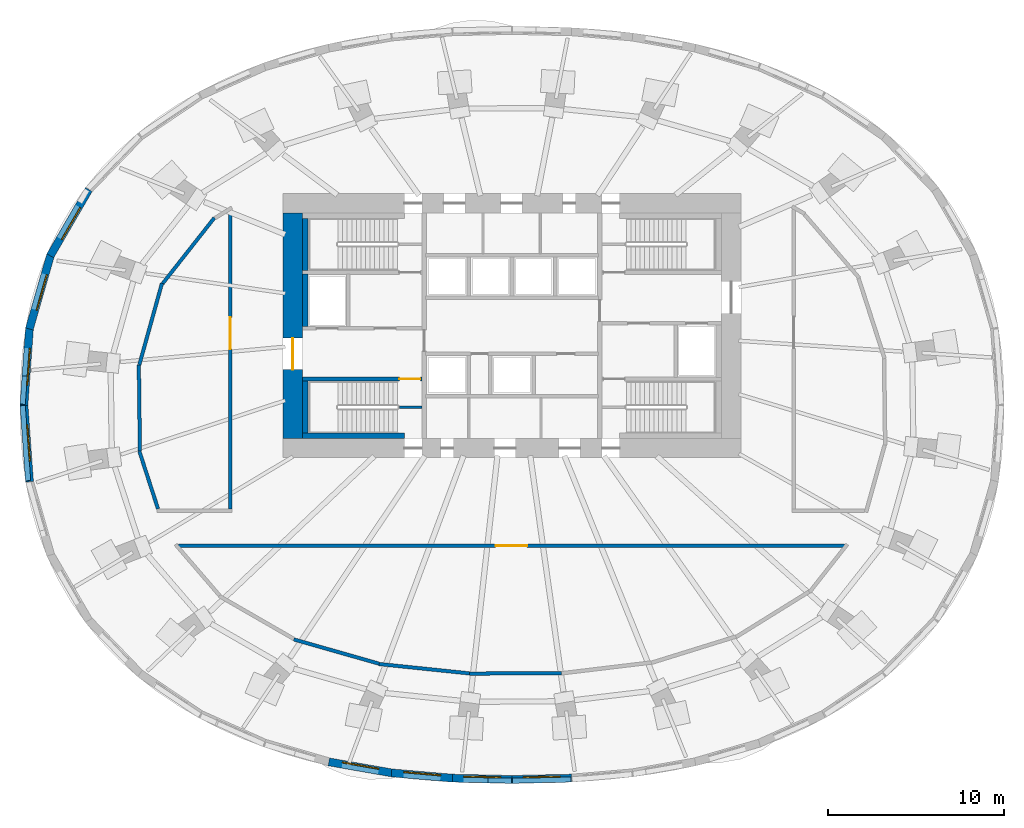
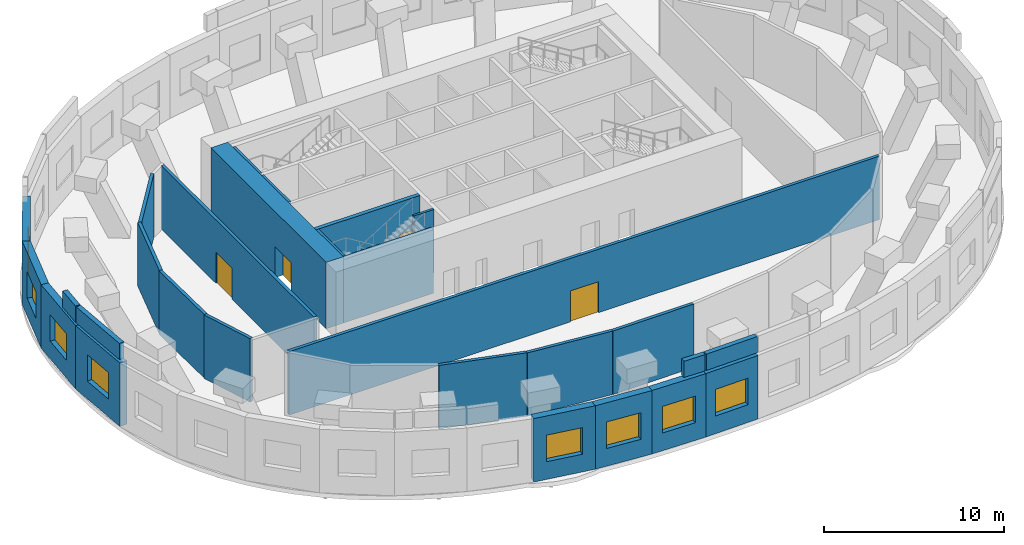
# One storey, part 4 of 9: 28 walls, 8 windows, 4 doors, 12 openings.
"""IFC4 building model written with IfcOpenShell, lengths in metres."""

from ifc_helpers import new_model, si_unit, direction, frame, frame_2d, origin, place, context, subcontext, project, spatial, rectangle, extrude, material, layer, layer_set, type_object, element, fill, save


model = new_model("IFC4")

# Units and contexts
model_context = context("Model", 3, precision=1e-05, world=origin(), true_north=direction((0.0, 1.0)))
body_context = subcontext(model_context, "Body", "Model", "MODEL_VIEW")
ifc_project = project(units=[si_unit("LENGTHUNIT", "METRE"), si_unit("AREAUNIT", "SQUARE_METRE"), si_unit("VOLUMEUNIT", "CUBIC_METRE"), si_unit("PLANEANGLEUNIT", "RADIAN"), si_unit("MASSUNIT", "GRAM", prefix="KILO")], contexts=[model_context])

# Site, building, storey
site_placement = place(None, origin())
site = spatial("IfcSite", under=ifc_project, at=site_placement, CompositionType="ELEMENT")
building_placement = place(site_placement, origin())
building = spatial("IfcBuilding", under=site, at=building_placement, Name="Rubra Terraces Tower", CompositionType="ELEMENT")
storey_placement = place(building_placement, frame((0.0, 0.0, 169.5)))
storey = spatial("IfcBuildingStorey", under=building, at=storey_placement, Name="L41", CompositionType="ELEMENT", Elevation=169.5)

# Wall, opening, window
ifc_material_1 = material(Name="Brick masonry red-brown", Category="masonry")
ifc_layer_1 = layer(ifc_material_1, 0.449951171875)
ifc_layer_set_1 = layer_set([ifc_layer_1], Name="Brick masonry red-brown")
wall_type_1 = type_object("IfcWallType", Name="Brick facade wall 450", PredefinedType="SOLIDWALL", material=ifc_layer_set_1)
wall_1_placement = place(storey_placement, frame((-24.04443359375, 12.237060546875, 0.0), z_axis=(0.0, 0.0, 1.0), x_axis=(-0.502203169453, -0.864749661227, 0.0)))
wall_1 = element("IfcWall", 1, at=wall_1_placement, inside=storey, type_object=wall_type_1, Name="Facade wall L41 bay 18", PredefinedType="SOLIDWALL", context=body_context, shape_type="SweptSolid", body=[
    extrude(rectangle(XDim=4.352783203125, YDim=0.449951171875, at=frame_2d((2.17626953125, 0.0))), origin(), (0.0, 0.0, 1.0), 4.300048828125),
])
opening_1_placement = place(wall_1_placement, frame((1.12646484375, 0.0, 1.199951171875)))
opening_1 = element("IfcOpeningElement", 2, at=opening_1_placement, cuts=wall_1, Name="Opening W4", PredefinedType="OPENING", context=body_context, shape_type="SweptSolid", body=[
    extrude(rectangle(XDim=2.10009765625, YDim=1.800048828125, at=frame_2d((1.050048828125, 0.89990234375))), frame((0.0, 0.23486328125, 0.0), z_axis=(0.0, -1.0, 0.0), x_axis=(1.0, 0.0, 0.0)), (0.0, 0.0, 1.0), 0.469970703125),
])
ifc_material_2 = material(Name="Clear glass in aluminium frame", Category="aluminium")
window_type = type_object("IfcWindowType", Name="Louvred plant window 2100 x 1800", PartitioningType="SINGLE_PANEL", PredefinedType="WINDOW", material=ifc_material_2)
window_1_placement = place(opening_1_placement, origin())
window_1 = element("IfcWindow", 3, at=window_1_placement, inside=storey, type_object=window_type, Name="Window L41 bay 18", OverallHeight=1.800048828125, OverallWidth=2.10009765625, PartitioningType="SINGLE_PANEL", PredefinedType="WINDOW", context=body_context, shape_type="SweptSolid", body=[
    extrude(rectangle(XDim=2.10009765625, YDim=1.800048828125, at=frame_2d((1.050048828125, 0.89990234375))), frame((0.0, 0.135009765625, 0.0), z_axis=(0.0, -1.0, 0.0), x_axis=(1.0, 0.0, 0.0)), (0.0, 0.0, 1.0), 0.06005859375),
])
fill(opening_1, window_1)

wall_2_placement = place(storey_placement, frame((-26.208740234375, 8.523681640625, 0.0), z_axis=(0.0, 0.0, 1.0), x_axis=(-0.276281679347, -0.961076705397, 0.0)))
wall_2 = element("IfcWall", 4, at=wall_2_placement, inside=storey, type_object=wall_type_1, Name="Facade wall L41 bay 19", PredefinedType="SOLIDWALL", context=body_context, shape_type="SweptSolid", body=[
    extrude(rectangle(XDim=4.37939453125, YDim=0.449951171875, at=frame_2d((2.189697265625, 0.0))), origin(), (0.0, 0.0, 1.0), 4.300048828125),
])
opening_2_placement = place(wall_2_placement, frame((1.1396484375, 0.0, 1.199951171875)))
opening_2 = element("IfcOpeningElement", 5, at=opening_2_placement, cuts=wall_2, Name="Opening W4", PredefinedType="OPENING", context=body_context, shape_type="SweptSolid", body=[
    extrude(rectangle(XDim=2.10009765625, YDim=1.800048828125, at=frame_2d((1.050048828125, 0.89990234375))), frame((0.0, 0.23486328125, 0.0), z_axis=(0.0, -1.0, 0.0), x_axis=(1.0, 0.0, 0.0)), (0.0, 0.0, 1.0), 0.469970703125),
])
window_2_placement = place(opening_2_placement, origin())
window_2 = element("IfcWindow", 6, at=window_2_placement, inside=storey, type_object=window_type, Name="Window L41 bay 19", OverallHeight=1.800048828125, OverallWidth=2.10009765625, PartitioningType="SINGLE_PANEL", PredefinedType="WINDOW", context=body_context, shape_type="SweptSolid", body=[
    extrude(rectangle(XDim=2.10009765625, YDim=1.800048828125, at=frame_2d((1.050048828125, 0.89990234375))), frame((0.0, 0.135009765625, 0.0), z_axis=(0.0, -1.0, 0.0), x_axis=(1.0, 0.0, 0.0)), (0.0, 0.0, 1.0), 0.06005859375),
])
fill(opening_2, window_2)

wall_3_placement = place(storey_placement, frame((-27.41064453125, 4.36083984375, 0.0), z_axis=(0.0, 0.0, 1.0), x_axis=(-0.071768934506, -0.997421285135, 0.0)))
wall_3 = element("IfcWall", 7, at=wall_3_placement, inside=storey, type_object=wall_type_1, Name="Facade wall L41 bay 20", PredefinedType="SOLIDWALL", context=body_context, shape_type="SweptSolid", body=[
    extrude(rectangle(XDim=4.38818359375, YDim=0.449951171875, at=frame_2d((2.194091796875, 0.0))), origin(), (0.0, 0.0, 1.0), 4.300048828125),
])
opening_3_placement = place(wall_3_placement, frame((1.144287109375, 0.0, 1.199951171875)))
opening_3 = element("IfcOpeningElement", 8, at=opening_3_placement, cuts=wall_3, Name="Opening W4", PredefinedType="OPENING", context=body_context, shape_type="SweptSolid", body=[
    extrude(rectangle(XDim=2.10009765625, YDim=1.800048828125, at=frame_2d((1.050048828125, 0.89990234375))), frame((0.0, 0.23486328125, 0.0), z_axis=(0.0, -1.0, 0.0), x_axis=(1.0, 0.0, 0.0)), (0.0, 0.0, 1.0), 0.469970703125),
])
window_3_placement = place(opening_3_placement, origin())
window_3 = element("IfcWindow", 9, at=window_3_placement, inside=storey, type_object=window_type, Name="Window L41 bay 20", OverallHeight=1.800048828125, OverallWidth=2.10009765625, PartitioningType="SINGLE_PANEL", PredefinedType="WINDOW", context=body_context, shape_type="SweptSolid", body=[
    extrude(rectangle(XDim=2.10009765625, YDim=1.800048828125, at=frame_2d((1.050048828125, 0.89990234375))), frame((0.0, 0.135009765625, 0.0), z_axis=(0.0, -1.0, 0.0), x_axis=(1.0, 0.0, 0.0)), (0.0, 0.0, 1.0), 0.06005859375),
])
fill(opening_3, window_3)

wall_4_placement = place(storey_placement, frame((-27.7255859375, 0.01611328125, 0.0), z_axis=(0.0, 0.0, 1.0), x_axis=(0.071768934506, -0.997421285135, 0.0)))
wall_4 = element("IfcWall", 10, at=wall_4_placement, inside=storey, type_object=wall_type_1, Name="Facade wall L41 bay 21", PredefinedType="SOLIDWALL", context=body_context, shape_type="SweptSolid", body=[
    extrude(rectangle(XDim=4.38818359375, YDim=0.449951171875, at=frame_2d((2.194091796875, 0.0))), origin(), (0.0, 0.0, 1.0), 4.300048828125),
])
opening_4_placement = place(wall_4_placement, frame((1.144287109375, 0.0, 1.199951171875)))
opening_4 = element("IfcOpeningElement", 11, at=opening_4_placement, cuts=wall_4, Name="Opening W4", PredefinedType="OPENING", context=body_context, shape_type="SweptSolid", body=[
    extrude(rectangle(XDim=2.10009765625, YDim=1.800048828125, at=frame_2d((1.050048828125, 0.89990234375))), frame((0.0, 0.23486328125, 0.0), z_axis=(0.0, -1.0, 0.0), x_axis=(1.0, 0.0, 0.0)), (0.0, 0.0, 1.0), 0.469970703125),
])
window_4_placement = place(opening_4_placement, origin())
window_4 = element("IfcWindow", 12, at=window_4_placement, inside=storey, type_object=window_type, Name="Window L41 bay 21", OverallHeight=1.800048828125, OverallWidth=2.10009765625, PartitioningType="SINGLE_PANEL", PredefinedType="WINDOW", context=body_context, shape_type="SweptSolid", body=[
    extrude(rectangle(XDim=2.10009765625, YDim=1.800048828125, at=frame_2d((1.050048828125, 0.89990234375))), frame((0.0, 0.135009765625, 0.0), z_axis=(0.0, -1.0, 0.0), x_axis=(1.0, 0.0, 0.0)), (0.0, 0.0, 1.0), 0.06005859375),
])
fill(opening_4, window_4)

wall_5_placement = place(storey_placement, frame((-10.405029296875, -20.2763671875, 0.0), z_axis=(0.0, 0.0, 1.0), x_axis=(0.984962239205, -0.172769752386, 0.0)))
wall_5 = element("IfcWall", 13, at=wall_5_placement, inside=storey, type_object=wall_type_1, Name="Facade wall L41 bay 28", PredefinedType="SOLIDWALL", context=body_context, shape_type="SweptSolid", body=[
    extrude(rectangle(XDim=3.634521484375, YDim=0.449951171875, at=frame_2d((1.8173828125, 0.0))), origin(), (0.0, 0.0, 1.0), 4.300048828125),
])
opening_5_placement = place(wall_5_placement, frame((0.767333984375, 0.0, 1.199951171875)))
opening_5 = element("IfcOpeningElement", 14, at=opening_5_placement, cuts=wall_5, Name="Opening W4", PredefinedType="OPENING", context=body_context, shape_type="SweptSolid", body=[
    extrude(rectangle(XDim=2.10009765625, YDim=1.800048828125, at=frame_2d((1.050048828125, 0.89990234375))), frame((0.0, 0.23486328125, 0.0), z_axis=(0.0, -1.0, 0.0), x_axis=(1.0, 0.0, 0.0)), (0.0, 0.0, 1.0), 0.469970703125),
])
window_5_placement = place(opening_5_placement, origin())
window_5 = element("IfcWindow", 15, at=window_5_placement, inside=storey, type_object=window_type, Name="Window L41 bay 28", OverallHeight=1.800048828125, OverallWidth=2.10009765625, PartitioningType="SINGLE_PANEL", PredefinedType="WINDOW", context=body_context, shape_type="SweptSolid", body=[
    extrude(rectangle(XDim=2.10009765625, YDim=1.800048828125, at=frame_2d((1.050048828125, 0.89990234375))), frame((0.0, 0.135009765625, 0.0), z_axis=(0.0, -1.0, 0.0), x_axis=(1.0, 0.0, 0.0)), (0.0, 0.0, 1.0), 0.06005859375),
])
fill(opening_5, window_5)

wall_6_placement = place(storey_placement, frame((-6.844482421875, -20.90185546875, 0.0), z_axis=(0.0, 0.0, 1.0), x_axis=(0.99625818993, -0.086426957587, 0.0)))
wall_6 = element("IfcWall", 16, at=wall_6_placement, inside=storey, type_object=wall_type_1, Name="Facade wall L41 bay 29", PredefinedType="SOLIDWALL", context=body_context, shape_type="SweptSolid", body=[
    extrude(rectangle(XDim=3.48291015625, YDim=0.449951171875, at=frame_2d((1.741455078125, 0.0))), origin(), (0.0, 0.0, 1.0), 4.300048828125),
])
opening_6_placement = place(wall_6_placement, frame((0.69140625, 0.0, 1.199951171875)))
opening_6 = element("IfcOpeningElement", 17, at=opening_6_placement, cuts=wall_6, Name="Opening W4", PredefinedType="OPENING", context=body_context, shape_type="SweptSolid", body=[
    extrude(rectangle(XDim=2.10009765625, YDim=1.800048828125, at=frame_2d((1.050048828125, 0.89990234375))), frame((0.0, 0.23486328125, 0.0), z_axis=(0.0, -1.0, 0.0), x_axis=(1.0, 0.0, 0.0)), (0.0, 0.0, 1.0), 0.469970703125),
])
window_6_placement = place(opening_6_placement, origin())
window_6 = element("IfcWindow", 18, at=window_6_placement, inside=storey, type_object=window_type, Name="Window L41 bay 29", OverallHeight=1.800048828125, OverallWidth=2.10009765625, PartitioningType="SINGLE_PANEL", PredefinedType="WINDOW", context=body_context, shape_type="SweptSolid", body=[
    extrude(rectangle(XDim=2.10009765625, YDim=1.800048828125, at=frame_2d((1.050048828125, 0.89990234375))), frame((0.0, 0.135009765625, 0.0), z_axis=(0.0, -1.0, 0.0), x_axis=(1.0, 0.0, 0.0)), (0.0, 0.0, 1.0), 0.06005859375),
])
fill(opening_6, window_6)

wall_7_placement = place(storey_placement, frame((-3.38916015625, -21.201904296875, 0.0), z_axis=(0.0, 0.0, 1.0), x_axis=(0.999768789703, -0.021502723933, 0.0)))
wall_7 = element("IfcWall", 19, at=wall_7_placement, inside=storey, type_object=wall_type_1, Name="Facade wall L41 bay 30", PredefinedType="SOLIDWALL", context=body_context, shape_type="SweptSolid", body=[
    extrude(rectangle(XDim=3.394775390625, YDim=0.449951171875, at=frame_2d((1.697265625, 0.0))), origin(), (0.0, 0.0, 1.0), 4.300048828125),
])
opening_7_placement = place(wall_7_placement, frame((0.6474609375, 0.0, 1.199951171875)))
opening_7 = element("IfcOpeningElement", 20, at=opening_7_placement, cuts=wall_7, Name="Opening W4", PredefinedType="OPENING", context=body_context, shape_type="SweptSolid", body=[
    extrude(rectangle(XDim=2.10009765625, YDim=1.800048828125, at=frame_2d((1.050048828125, 0.89990234375))), frame((0.0, 0.23486328125, 0.0), z_axis=(0.0, -1.0, 0.0), x_axis=(1.0, 0.0, 0.0)), (0.0, 0.0, 1.0), 0.469970703125),
])
window_7_placement = place(opening_7_placement, origin())
window_7 = element("IfcWindow", 21, at=window_7_placement, inside=storey, type_object=window_type, Name="Window L41 bay 30", OverallHeight=1.800048828125, OverallWidth=2.10009765625, PartitioningType="SINGLE_PANEL", PredefinedType="WINDOW", context=body_context, shape_type="SweptSolid", body=[
    extrude(rectangle(XDim=2.10009765625, YDim=1.800048828125, at=frame_2d((1.050048828125, 0.89990234375))), frame((0.0, 0.135009765625, 0.0), z_axis=(0.0, -1.0, 0.0), x_axis=(1.0, 0.0, 0.0)), (0.0, 0.0, 1.0), 0.06005859375),
])
fill(opening_7, window_7)

wall_8_placement = place(storey_placement, frame((-0.0048828125, -21.27490234375, 0.0), z_axis=(0.0, 0.0, 1.0), x_axis=(0.999768789703, 0.021502723933, 0.0)))
wall_8 = element("IfcWall", 22, at=wall_8_placement, inside=storey, type_object=wall_type_1, Name="Facade wall L41 bay 31", PredefinedType="SOLIDWALL", context=body_context, shape_type="SweptSolid", body=[
    extrude(rectangle(XDim=3.394775390625, YDim=0.449951171875, at=frame_2d((1.697265625, 0.0))), origin(), (0.0, 0.0, 1.0), 4.300048828125),
])
opening_8_placement = place(wall_8_placement, frame((0.6474609375, 0.0, 1.199951171875)))
opening_8 = element("IfcOpeningElement", 23, at=opening_8_placement, cuts=wall_8, Name="Opening W4", PredefinedType="OPENING", context=body_context, shape_type="SweptSolid", body=[
    extrude(rectangle(XDim=2.10009765625, YDim=1.800048828125, at=frame_2d((1.050048828125, 0.89990234375))), frame((0.0, 0.23486328125, 0.0), z_axis=(0.0, -1.0, 0.0), x_axis=(1.0, 0.0, 0.0)), (0.0, 0.0, 1.0), 0.469970703125),
])
window_8_placement = place(opening_8_placement, origin())
window_8 = element("IfcWindow", 24, at=window_8_placement, inside=storey, type_object=window_type, Name="Window L41 bay 31", OverallHeight=1.800048828125, OverallWidth=2.10009765625, PartitioningType="SINGLE_PANEL", PredefinedType="WINDOW", context=body_context, shape_type="SweptSolid", body=[
    extrude(rectangle(XDim=2.10009765625, YDim=1.800048828125, at=frame_2d((1.050048828125, 0.89990234375))), frame((0.0, 0.135009765625, 0.0), z_axis=(0.0, -1.0, 0.0), x_axis=(1.0, 0.0, 0.0)), (0.0, 0.0, 1.0), 0.06005859375),
])
fill(opening_8, window_8)

# Walls
ifc_layer_2 = layer(ifc_material_1, 0.300048828125)
ifc_layer_set_2 = layer_set([ifc_layer_2], Name="Brick masonry red-brown")
wall_type_2 = type_object("IfcWallType", Name="Brick parapet 300", PredefinedType="PARAPET", material=ifc_layer_set_2)
wall_9_placement = place(storey_placement, frame((-27.680908203125, 1.64990234375, 4.5), z_axis=(0.0, 0.0, 1.0), x_axis=(-0.071730994207, -0.997424014384, 0.0)))
element("IfcWall", 25, at=wall_9_placement, inside=storey, type_object=wall_type_2, Name="Parapet L41 bay 20", PredefinedType="PARAPET", context=body_context, shape_type="SweptSolid", body=[
    extrude(rectangle(XDim=1.61328125, YDim=0.300048828125, at=frame_2d((0.806640625, 0.0))), origin(), (0.0, 0.0, 1.0), 1.10009765625),
])
wall_10_placement = place(storey_placement, frame((-27.796630859375, -0.040771484375, 4.5), z_axis=(0.0, 0.0, 1.0), x_axis=(0.071782738279, -0.997420291795, 0.0)))
element("IfcWall", 26, at=wall_10_placement, inside=storey, type_object=wall_type_2, Name="Parapet L41 bay 21", PredefinedType="PARAPET", context=body_context, shape_type="SweptSolid", body=[
    extrude(rectangle(XDim=4.275146484375, YDim=0.300048828125, at=frame_2d((2.1376953125, 0.0))), origin(), (0.0, 0.0, 1.0), 1.10009765625),
])
wall_11_placement = place(storey_placement, frame((-1.37451171875, -21.3203125, 4.5), z_axis=(0.0, 0.0, 1.0), x_axis=(0.999769428044, -0.021473023755, 0.0)))
element("IfcWall", 27, at=wall_11_placement, inside=storey, type_object=wall_type_2, Name="Parapet L41 bay 30", PredefinedType="PARAPET", context=body_context, shape_type="SweptSolid", body=[
    extrude(rectangle(XDim=1.341552734375, YDim=0.300048828125, at=frame_2d((0.6708984375, 0.0))), origin(), (0.0, 0.0, 1.0), 1.10009765625),
])
wall_12_placement = place(storey_placement, frame((0.033203125, -21.34912109375, 4.5), z_axis=(0.0, 0.0, 1.0), x_axis=(0.99976924748, 0.021481429011, 0.0)))
element("IfcWall", 28, at=wall_12_placement, inside=storey, type_object=wall_type_2, Name="Parapet L41 bay 31", PredefinedType="PARAPET", context=body_context, shape_type="SweptSolid", body=[
    extrude(rectangle(XDim=3.318603515625, YDim=0.300048828125, at=frame_2d((1.6591796875, 0.0))), origin(), (0.0, 0.0, 1.0), 1.10009765625),
])

# Wall, opening, door
ifc_material_3 = material(Name="Concrete C60", Category="concrete")
ifc_layer_3 = layer(ifc_material_3, 1.10009765625)
ifc_layer_set_3 = layer_set([ifc_layer_3], Name="Concrete C60")
wall_type_3 = type_object("IfcWallType", Name="CORE WALL 1100 C60", PredefinedType="SHEAR", material=ifc_layer_set_3)
wall_13_placement = place(storey_placement, frame((-12.449951171875, -1.89990234375, 0.0), z_axis=(0.0, 0.0, 1.0), x_axis=(0.0, 1.0, 0.0)))
wall_13 = element("IfcWall", 29, at=wall_13_placement, inside=storey, type_object=wall_type_3, Name="CORE WALL W L41", PredefinedType="SHEAR", context=body_context, shape_type="SweptSolid", body=[
    extrude(rectangle(XDim=12.7998046875, YDim=1.10009765625, at=frame_2d((6.39990234375, 0.0))), origin(), (0.0, 0.0, 1.0), 4.5),
])
opening_9_placement = place(wall_13_placement, frame((3.89990234375, 0.0, 0.0)))
opening_9 = element("IfcOpeningElement", 30, at=opening_9_placement, cuts=wall_13, Name="Opening L41.C01", PredefinedType="OPENING", context=body_context, shape_type="SweptSolid", body=[
    extrude(rectangle(XDim=1.800048828125, YDim=2.10009765625, at=frame_2d((0.89990234375, 1.050048828125))), frame((0.0, 0.56005859375, 0.0), z_axis=(0.0, -1.0, 0.0), x_axis=(1.0, 0.0, 0.0)), (0.0, 0.0, 1.0), 1.1201171875),
])
ifc_material_4 = material(Name="Painted steel", Category="steel")
door_type_1 = type_object("IfcDoorType", Name="Fire door 1800x2100 double", OperationType="NOTDEFINED", PredefinedType="DOOR", material=ifc_material_4)
door_1_placement = place(opening_9_placement, origin())
door_1 = element("IfcDoor", 31, at=door_1_placement, inside=storey, type_object=door_type_1, Name="Core entrance door FF1", OperationType="DOUBLE_DOOR_SINGLE_SWING", OverallHeight=2.10009765625, OverallWidth=1.800048828125, PredefinedType="DOOR", context=body_context, shape_type="SweptSolid", body=[
    extrude(rectangle(XDim=1.800048828125, YDim=2.10009765625, at=frame_2d((0.89990234375, 1.050048828125))), frame((0.0, 0.02490234375, 0.0), z_axis=(0.0, -1.0, 0.0), x_axis=(1.0, 0.0, 0.0)), (0.0, 0.0, 1.0), 0.050048828125),
])
fill(opening_9, door_1)

# Walls
ifc_material_5 = material(Name="Concrete C40", Category="concrete")
ifc_layer_4 = layer(ifc_material_5, 0.300048828125)
ifc_layer_set_4 = layer_set([ifc_layer_4], Name="Concrete C40")
wall_type_4 = type_object("IfcWallType", Name="Core lining wall 300 concrete", PredefinedType="SOLIDWALL", material=ifc_layer_set_4)
wall_14_placement = place(storey_placement, frame((-11.89990234375, -1.75, 0.0), z_axis=(0.0, 0.0, 1.0), x_axis=(1.0, 0.0, 0.0)))
element("IfcWall", 32, at=wall_14_placement, inside=storey, type_object=wall_type_4, Name="CORE LINING WALL L41", PredefinedType="SOLIDWALL", context=body_context, shape_type="SweptSolid", body=[
    extrude(rectangle(XDim=5.77978515625, YDim=0.300048828125, at=frame_2d((2.889892578125, 0.0))), origin(), (0.0, 0.0, 1.0), 4.300048828125),
])
wall_15_placement = place(storey_placement, frame((-11.75, -1.60009765625, 0.0), z_axis=(0.0, 0.0, 1.0), x_axis=(0.0, 1.0, 0.0)))
element("IfcWall", 33, at=wall_15_placement, inside=storey, type_object=wall_type_4, Name="CORE LINING WALL L41", PredefinedType="SOLIDWALL", context=body_context, shape_type="SweptSolid", body=[
    extrude(rectangle(XDim=2.9501953125, YDim=0.300048828125, at=frame_2d((1.47509765625, 0.0))), origin(), (0.0, 0.0, 1.0), 4.300048828125),
])
wall_16_placement = place(storey_placement, frame((-11.75, 4.449951171875, 0.0), z_axis=(0.0, 0.0, 1.0), x_axis=(0.0, 1.0, 0.0)))
element("IfcWall", 34, at=wall_16_placement, inside=storey, type_object=wall_type_4, Name="CORE LINING WALL L41", PredefinedType="SOLIDWALL", context=body_context, shape_type="SweptSolid", body=[
    extrude(rectangle(XDim=3.0, YDim=0.300048828125, at=frame_2d((1.5, 0.0))), origin(), (0.0, 0.0, 1.0), 4.300048828125),
])
wall_17_placement = place(storey_placement, frame((-11.75, 7.64990234375, 0.0), z_axis=(0.0, 0.0, 1.0), x_axis=(0.0, 1.0, 0.0)))
element("IfcWall", 35, at=wall_17_placement, inside=storey, type_object=wall_type_4, Name="CORE LINING WALL L41", PredefinedType="SOLIDWALL", context=body_context, shape_type="SweptSolid", body=[
    extrude(rectangle(XDim=2.9501953125, YDim=0.300048828125, at=frame_2d((1.47509765625, 0.0))), origin(), (0.0, 0.0, 1.0), 4.300048828125),
])
ifc_material_6 = material(Name="Blockwork", Category="masonry")
ifc_layer_5 = layer(ifc_material_6, 0.199951171875)
ifc_layer_set_5 = layer_set([ifc_layer_5], Name="Blockwork")
wall_type_5 = type_object("IfcWallType", Name="Corridor partition 200 blockwork", PredefinedType="PARTITIONING", material=ifc_layer_set_5)
wall_18_placement = place(storey_placement, frame((2.799072265625, -15.236083984375, 0.0), z_axis=(0.0, 0.0, 1.0), x_axis=(-0.9999876741, -0.004965042553, 0.0)))
element("IfcWall", 36, at=wall_18_placement, inside=storey, type_object=wall_type_5, Name="Partition wall", PredefinedType="PARTITIONING", context=body_context, shape_type="SweptSolid", body=[
    extrude(rectangle(XDim=5.212158203125, YDim=0.199951171875, at=frame_2d((2.60595703125, 0.0))), origin(), (0.0, 0.0, 1.0), 4.300048828125),
])
wall_19_placement = place(storey_placement, frame((-2.412109375, -15.251953125, 0.0), z_axis=(0.0, 0.0, 1.0), x_axis=(-0.994673915242, 0.103071830955, 0.0)))
element("IfcWall", 37, at=wall_19_placement, inside=storey, type_object=wall_type_5, Name="Partition wall", PredefinedType="PARTITIONING", context=body_context, shape_type="SweptSolid", body=[
    extrude(rectangle(XDim=5.161376953125, YDim=0.199951171875, at=frame_2d((2.58056640625, 0.0))), origin(), (0.0, 0.0, 1.0), 4.300048828125),
])
wall_20_placement = place(storey_placement, frame((-7.54296875, -14.702880859375, 0.0), z_axis=(0.0, 0.0, 1.0), x_axis=(-0.961706339668, 0.27408195169, 0.0)))
element("IfcWall", 38, at=wall_20_placement, inside=storey, type_object=wall_type_5, Name="Partition wall", PredefinedType="PARTITIONING", context=body_context, shape_type="SweptSolid", body=[
    extrude(rectangle(XDim=5.045166015625, YDim=0.199951171875, at=frame_2d((2.5224609375, 0.0))), origin(), (0.0, 0.0, 1.0), 4.300048828125),
])

# Wall, opening, door
wall_21_placement = place(storey_placement, frame((-18.947021484375, -8.0, 0.0), z_axis=(0.0, 0.0, 1.0), x_axis=(1.0, 0.0, 0.0)))
wall_21 = element("IfcWall", 39, at=wall_21_placement, inside=storey, type_object=wall_type_5, Name="Partition wall", PredefinedType="PARTITIONING", context=body_context, shape_type="SweptSolid", body=[
    extrude(rectangle(XDim=37.825927734375, YDim=0.199951171875, at=frame_2d((18.9130859375, 0.0))), origin(), (0.0, 0.0, 1.0), 4.300048828125),
])
opening_10_placement = place(wall_21_placement, frame((18.012939453125, 0.0, 0.0)))
opening_10 = element("IfcOpeningElement", 40, at=opening_10_placement, cuts=wall_21, Name="Opening DB3", PredefinedType="OPENING", context=body_context, shape_type="SweptSolid", body=[
    extrude(rectangle(XDim=1.800048828125, YDim=2.10009765625, at=frame_2d((0.89990234375, 1.050048828125))), frame((0.0, 0.10986328125, 0.0), z_axis=(0.0, -1.0, 0.0), x_axis=(1.0, 0.0, 0.0)), (0.0, 0.0, 1.0), 0.219970703125),
])
door_type_2 = type_object("IfcDoorType", Name="Door 1800x2100 double", OperationType="NOTDEFINED", PredefinedType="DOOR", material=ifc_material_4)
door_2_placement = place(opening_10_placement, origin())
door_2 = element("IfcDoor", 41, at=door_2_placement, inside=storey, type_object=door_type_2, Name="Refuge area door L41-01", OperationType="DOUBLE_DOOR_SINGLE_SWING", OverallHeight=2.10009765625, OverallWidth=1.800048828125, PredefinedType="DOOR", context=body_context, shape_type="SweptSolid", body=[
    extrude(rectangle(XDim=1.800048828125, YDim=2.10009765625, at=frame_2d((0.89990234375, 1.050048828125))), frame((0.0, 0.02490234375, 0.0), z_axis=(0.0, -1.0, 0.0), x_axis=(1.0, 0.0, 0.0)), (0.0, 0.0, 1.0), 0.050048828125),
])
fill(opening_10, door_2)

# Walls
wall_22_placement = place(storey_placement, frame((-20.10791015625, -5.905029296875, 0.0), z_axis=(0.0, 0.0, 1.0), x_axis=(-0.308376170844, 0.951264493848, 0.0)))
element("IfcWall", 42, at=wall_22_placement, inside=storey, type_object=wall_type_5, Name="Partition wall", PredefinedType="PARTITIONING", context=body_context, shape_type="SweptSolid", body=[
    extrude(rectangle(XDim=3.4375, YDim=0.199951171875, at=frame_2d((1.71875, 0.0))), origin(), (0.0, 0.0, 1.0), 4.300048828125),
])
wall_23_placement = place(storey_placement, frame((-21.137939453125, -2.6298828125, 0.0), z_axis=(0.0, 0.0, 1.0), x_axis=(-0.012626385888, 0.999920284012, 0.0)))
element("IfcWall", 43, at=wall_23_placement, inside=storey, type_object=wall_type_5, Name="Partition wall", PredefinedType="PARTITIONING", context=body_context, shape_type="SweptSolid", body=[
    extrude(rectangle(XDim=4.911376953125, YDim=0.199951171875, at=frame_2d((2.45556640625, 0.0))), origin(), (0.0, 0.0, 1.0), 4.300048828125),
])
wall_24_placement = place(storey_placement, frame((-21.172119140625, 2.277099609375, 0.0), z_axis=(0.0, 0.0, 1.0), x_axis=(0.267756413289, 0.963486638798, 0.0)))
element("IfcWall", 44, at=wall_24_placement, inside=storey, type_object=wall_type_5, Name="Partition wall", PredefinedType="PARTITIONING", context=body_context, shape_type="SweptSolid", body=[
    extrude(rectangle(XDim=4.810546875, YDim=0.199951171875, at=frame_2d((2.4052734375, 0.0))), origin(), (0.0, 0.0, 1.0), 4.300048828125),
])
wall_25_placement = place(storey_placement, frame((-19.84912109375, 6.89501953125, 0.0), z_axis=(0.0, 0.0, 1.0), x_axis=(0.618811760178, 0.785539308669, 0.0)))
element("IfcWall", 45, at=wall_25_placement, inside=storey, type_object=wall_type_5, Name="Partition wall", PredefinedType="PARTITIONING", context=body_context, shape_type="SweptSolid", body=[
    extrude(rectangle(XDim=4.756103515625, YDim=0.199951171875, at=frame_2d((2.3779296875, 0.0))), origin(), (0.0, 0.0, 1.0), 4.300048828125),
])

# Wall, opening, door
wall_26_placement = place(storey_placement, frame((-16.0, 11.052978515625, 0.0), z_axis=(0.0, 0.0, 1.0), x_axis=(0.0, -1.0, 0.0)))
wall_26 = element("IfcWall", 46, at=wall_26_placement, inside=storey, type_object=wall_type_5, Name="Partition wall", PredefinedType="PARTITIONING", context=body_context, shape_type="SweptSolid", body=[
    extrude(rectangle(XDim=16.952880859375, YDim=0.199951171875, at=frame_2d((8.4765625, 0.0))), origin(), (0.0, 0.0, 1.0), 4.300048828125),
])
opening_11_placement = place(wall_26_placement, frame((6.076904296875, 0.0, 0.0)))
opening_11 = element("IfcOpeningElement", 47, at=opening_11_placement, cuts=wall_26, Name="Opening DB3", PredefinedType="OPENING", context=body_context, shape_type="SweptSolid", body=[
    extrude(rectangle(XDim=1.800048828125, YDim=2.10009765625, at=frame_2d((0.89990234375, 1.050048828125))), frame((0.0, 0.10986328125, 0.0), z_axis=(0.0, -1.0, 0.0), x_axis=(1.0, 0.0, 0.0)), (0.0, 0.0, 1.0), 0.219970703125),
])
door_3_placement = place(opening_11_placement, origin())
door_3 = element("IfcDoor", 48, at=door_3_placement, inside=storey, type_object=door_type_2, Name="Refuge area door L41-02", OperationType="DOUBLE_DOOR_SINGLE_SWING", OverallHeight=2.10009765625, OverallWidth=1.800048828125, PredefinedType="DOOR", context=body_context, shape_type="SweptSolid", body=[
    extrude(rectangle(XDim=1.800048828125, YDim=2.10009765625, at=frame_2d((0.89990234375, 1.050048828125))), frame((0.0, 0.02490234375, 0.0), z_axis=(0.0, -1.0, 0.0), x_axis=(1.0, 0.0, 0.0)), (0.0, 0.0, 1.0), 0.050048828125),
])
fill(opening_11, door_3)

ifc_layer_6 = layer(ifc_material_5, 0.25)
ifc_layer_set_6 = layer_set([ifc_layer_6], Name="Concrete C40")
wall_type_6 = type_object("IfcWallType", Name="Stair enclosure wall 250 concrete", PredefinedType="SOLIDWALL", material=ifc_layer_set_6)
wall_27_placement = place(storey_placement, frame((-11.89990234375, 1.47509765625, 0.0), z_axis=(0.0, 0.0, 1.0), x_axis=(1.0, 0.0, 0.0)))
wall_27 = element("IfcWall", 49, at=wall_27_placement, inside=storey, type_object=wall_type_6, Name="STAIR WALL L41", PredefinedType="SOLIDWALL", context=body_context, shape_type="SweptSolid", body=[
    extrude(rectangle(XDim=6.7998046875, YDim=0.25, at=frame_2d((3.39990234375, 0.0))), origin(), (0.0, 0.0, 1.0), 4.300048828125),
])
opening_12_placement = place(wall_27_placement, frame((5.5, 0.0, 0.0)))
opening_12 = element("IfcOpeningElement", 50, at=opening_12_placement, cuts=wall_27, Name="Opening L41.C07", PredefinedType="OPENING", context=body_context, shape_type="SweptSolid", body=[
    extrude(rectangle(XDim=1.199951171875, YDim=2.10009765625, at=frame_2d((0.60009765625, 1.050048828125))), frame((0.0, 0.135009765625, 0.0), z_axis=(0.0, -1.0, 0.0), x_axis=(1.0, 0.0, 0.0)), (0.0, 0.0, 1.0), 0.27001953125),
])
door_type_3 = type_object("IfcDoorType", Name="Fire door 1200x2100 single", OperationType="NOTDEFINED", PredefinedType="DOOR", material=ifc_material_4)
door_4_placement = place(opening_12_placement, origin())
door_4 = element("IfcDoor", 51, at=door_4_placement, inside=storey, type_object=door_type_3, Name="Stair door S1", OperationType="SINGLE_SWING_LEFT", OverallHeight=2.10009765625, OverallWidth=1.199951171875, PredefinedType="DOOR", context=body_context, shape_type="SweptSolid", body=[
    extrude(rectangle(XDim=1.199951171875, YDim=2.10009765625, at=frame_2d((0.60009765625, 1.050048828125))), frame((0.0, 0.02490234375, 0.0), z_axis=(0.0, -1.0, 0.0), x_axis=(1.0, 0.0, 0.0)), (0.0, 0.0, 1.0), 0.050048828125),
])
fill(opening_12, door_4)

# Wall
ifc_layer_7 = layer(ifc_material_5, 0.14990234375)
ifc_layer_set_7 = layer_set([ifc_layer_7], Name="Concrete C40")
wall_type_7 = type_object("IfcWallType", Name="Stair separation wall 150 concrete", PredefinedType="SOLIDWALL", material=ifc_layer_set_7)
wall_28_placement = place(storey_placement, frame((-6.39990234375, -0.125, 0.0), z_axis=(0.0, 0.0, 1.0), x_axis=(1.0, 0.0, 0.0)))
element("IfcWall", 52, at=wall_28_placement, inside=storey, type_object=wall_type_7, Name="STAIR SEPARATION WALL L41", PredefinedType="SOLIDWALL", context=body_context, shape_type="SweptSolid", body=[
    extrude(rectangle(XDim=1.2998046875, YDim=0.14990234375, at=frame_2d((0.64990234375, 0.0))), origin(), (0.0, 0.0, 1.0), 4.300048828125),
])

save(model, "model.ifc")
